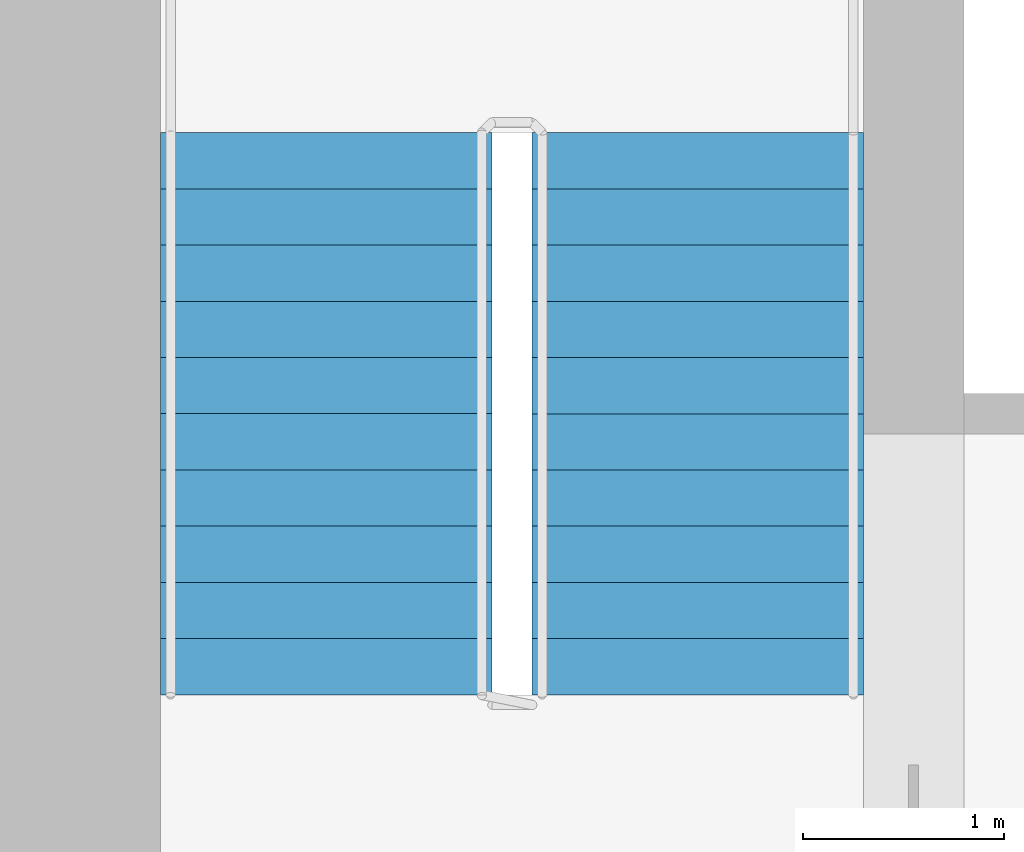
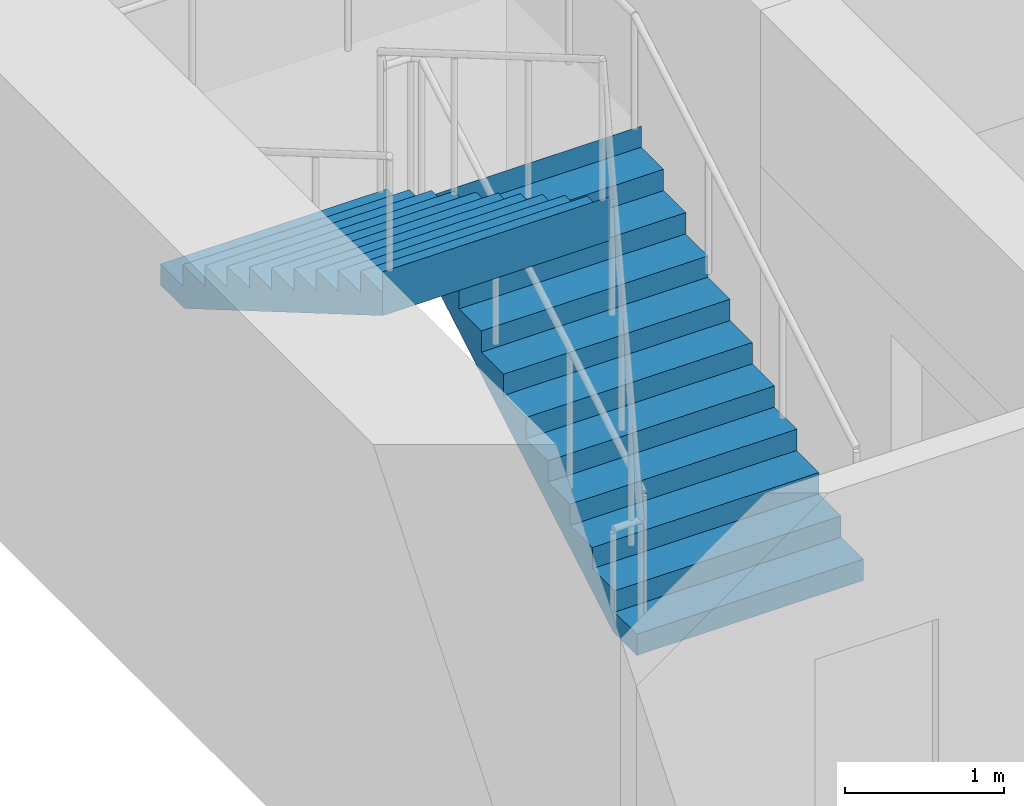
# One storey, part 14 of 15: 2 stair flights, 1 element without a shape of its own.
"""IFC4 building model written with IfcOpenShell, lengths in metres."""

from ifc_helpers import new_model, si_unit, direction, frame, origin, place, context, subcontext, project, spatial, polyline, outline, extrude, material, type_object, element, aggregate, save


model = new_model("IFC4")

# Units and contexts
model_context = context("Model", 3, precision=1e-05, world=origin(), true_north=direction((0.0, 1.0)))
body_context = subcontext(model_context, "Body", "Model", "MODEL_VIEW")
ifc_project = project(units=[si_unit("LENGTHUNIT", "METRE"), si_unit("AREAUNIT", "SQUARE_METRE"), si_unit("VOLUMEUNIT", "CUBIC_METRE"), si_unit("PLANEANGLEUNIT", "RADIAN"), si_unit("MASSUNIT", "GRAM", prefix="KILO")], contexts=[model_context])

# Site, building, storey
site_placement = place(None, origin())
site = spatial("IfcSite", under=ifc_project, at=site_placement, CompositionType="ELEMENT")
building_placement = place(site_placement, origin())
building = spatial("IfcBuilding", under=site, at=building_placement, Name="Tamorin Gate", CompositionType="ELEMENT")
storey_placement = place(building_placement, frame((0.0, 0.0, 62.800048828125)))
storey = spatial("IfcBuildingStorey", under=building, at=storey_placement, Name="L14", CompositionType="ELEMENT", Elevation=62.800048828125)

# Stair, stair flights
ifc_material = material(Name="Concrete C40/50", Category="concrete")
stair_type = type_object("IfcStairType", Name="Exit stair", PredefinedType="HALF_TURN_STAIR", material=ifc_material)
stair_placement = place(storey_placement, origin())
stair = element("IfcStair", 1, at=stair_placement, inside=storey, type_object=stair_type, Name="L14 stair ST2", PredefinedType="HALF_TURN_STAIR")
stair_flight_type = type_object("IfcStairFlightType", Name="Exit stair flight", PredefinedType="STRAIGHT", material=ifc_material)
stair_flight_1_placement = place(storey_placement, frame((33.675048828125, 77.0, 0.0), z_axis=(0.0, 0.0, 1.0), x_axis=(0.0, 1.0, 0.0)))
stair_flight_1 = element("IfcStairFlight", 2, at=stair_flight_1_placement, type_object=stair_flight_type, Name="ST2 flight 1", NumberOfRisers=11, NumberOfTreads=10, PredefinedType="STRAIGHT", RiserHeight=0.163636364, TreadLength=0.28, context=body_context, shape_type="SweptSolid", body=[
    extrude(outline(polyline([(-0.00048828125, 0.0), (-0.00048828125, 0.001708984375), (-0.00048828125, 0.003173828125), (-0.00048828125, 0.0048828125), (-0.00048828125, 0.006591796875), (-0.00048828125, 0.008056640625), (-0.00048828125, 0.009765625), (-0.00048828125, 0.01123046875), (-0.00048828125, 0.012939453125), (-0.00048828125, 0.0146484375), (-0.00048828125, 0.01611328125), (-0.00048828125, 0.017822265625), (-0.00048828125, 0.01953125), (-0.00048828125, 0.02099609375), (-0.00048828125, 0.022705078125), (-0.00048828125, 0.0244140625), (-0.00048828125, 0.02587890625), (-0.00048828125, 0.027587890625), (-0.00048828125, 0.029052734375), (-0.00048828125, 0.03076171875), (-0.00048828125, 0.032470703125), (-0.00048828125, 0.033935546875), (-0.00048828125, 0.03564453125), (-0.00048828125, 0.037353515625), (-0.00048828125, 0.038818359375), (-0.00048828125, 0.04052734375), (-0.00048828125, 0.042236328125), (-0.00048828125, 0.043701171875), (-0.00048828125, 0.04541015625), (-0.00048828125, 0.046875), (-0.00048828125, 0.048583984375), (-0.00048828125, 0.05029296875), (-0.00048828125, 0.0517578125), (-0.00048828125, 0.053466796875), (-0.00048828125, 0.05517578125), (-0.00048828125, 0.056640625), (-0.00048828125, 0.058349609375), (-0.00048828125, 0.06005859375), (-0.00048828125, 0.0615234375), (-0.00048828125, 0.063232421875), (-0.00048828125, 0.064697265625), (-0.00048828125, 0.06640625), (-0.00048828125, 0.068115234375), (-0.00048828125, 0.069580078125), (-0.00048828125, 0.0712890625), (-0.00048828125, 0.072998046875), (-0.00048828125, 0.074462890625), (-0.00048828125, 0.076171875), (-0.00048828125, 0.077880859375), (-0.00048828125, 0.079345703125), (-0.00048828125, 0.0810546875), (-0.00048828125, 0.08251953125), (-0.00048828125, 0.084228515625), (-0.00048828125, 0.0859375), (-0.00048828125, 0.08740234375), (-0.00048828125, 0.089111328125), (-0.00048828125, 0.0908203125), (-0.00048828125, 0.09228515625), (-0.00048828125, 0.093994140625), (-0.00048828125, 0.095703125), (-0.00048828125, 0.09716796875), (-0.00048828125, 0.098876953125), (-0.00048828125, 0.100341796875), (-0.00048828125, 0.10205078125), (-0.00048828125, 0.103759765625), (-0.00048828125, 0.105224609375), (-0.00048828125, 0.10693359375), (-0.00048828125, 0.108642578125), (-0.00048828125, 0.110107421875), (-0.00048828125, 0.11181640625), (-0.00048828125, 0.113525390625), (-0.00048828125, 0.114990234375), (-0.00048828125, 0.11669921875), (-0.00048828125, 0.1181640625), (-0.00048828125, 0.119873046875), (-0.00048828125, 0.12158203125), (-0.00048828125, 0.123046875), (-0.00048828125, 0.124755859375), (-0.00048828125, 0.12646484375), (-0.00048828125, 0.1279296875), (-0.00048828125, 0.129638671875), (-0.00048828125, 0.13134765625), (-0.00048828125, 0.1328125), (-0.00048828125, 0.134521484375), (-0.00048828125, 0.135986328125), (-0.00048828125, 0.1376953125), (-0.00048828125, 0.139404296875), (-0.00048828125, 0.140869140625), (-0.00048828125, 0.142578125), (-0.00048828125, 0.144287109375), (-0.00048828125, 0.145751953125), (-0.00048828125, 0.1474609375), (-0.00048828125, 0.149169921875), (-0.00048828125, 0.150634765625), (-0.00048828125, 0.15234375), (-0.00048828125, 0.15380859375), (-0.00048828125, 0.155517578125), (-0.00048828125, 0.1572265625), (-0.00048828125, 0.15869140625), (-0.00048828125, 0.160400390625), (-0.00048828125, 0.162109375), (-0.00048828125, 0.16357421875), (0.280029296875, 0.16357421875), (0.280029296875, 0.327392578125), (0.56005859375, 0.327392578125), (0.56005859375, 0.490966796875), (0.840087890625, 0.490966796875), (0.840087890625, 0.654541015625), (1.1201171875, 0.654541015625), (1.1201171875, 0.818115234375), (1.39990234375, 0.818115234375), (1.39990234375, 0.98193359375), (1.679931640625, 0.98193359375), (1.679931640625, 1.1455078125), (1.9599609375, 1.1455078125), (1.9599609375, 1.30908203125), (2.239990234375, 1.30908203125), (2.239990234375, 1.47265625), (2.52001953125, 1.47265625), (2.52001953125, 1.636474609375), (2.800048828125, 1.636474609375), (2.800048828125, 1.800048828125), (2.800537109375, 1.800048828125), (2.800537109375, 1.796630859375), (2.800537109375, 1.793212890625), (2.800537109375, 1.7900390625), (2.800537109375, 1.78662109375), (2.800537109375, 1.783203125), (2.800537109375, 1.780029296875), (2.800537109375, 1.776611328125), (2.800537109375, 1.773193359375), (2.800537109375, 1.77001953125), (2.800537109375, 1.7666015625), (2.800537109375, 1.76318359375), (2.800537109375, 1.760009765625), (2.800537109375, 1.756591796875), (2.800537109375, 1.753173828125), (2.800537109375, 1.75), (2.800537109375, 1.74658203125), (2.800537109375, 1.7431640625), (2.800537109375, 1.739990234375), (2.800537109375, 1.736572265625), (2.800537109375, 1.733154296875), (2.800537109375, 1.72998046875), (2.800537109375, 1.7265625), (2.800537109375, 1.72314453125), (2.800537109375, 1.719970703125), (2.800537109375, 1.716552734375), (2.800537109375, 1.713134765625), (2.800537109375, 1.7099609375), (2.800537109375, 1.70654296875), (2.800537109375, 1.703125), (2.800537109375, 1.69970703125), (2.800537109375, 1.696533203125), (2.800537109375, 1.693115234375), (2.800537109375, 1.689697265625), (2.800537109375, 1.6865234375), (2.800537109375, 1.68310546875), (2.800537109375, 1.6796875), (2.800537109375, 1.676513671875), (2.800537109375, 1.673095703125), (2.800537109375, 1.669677734375), (2.800537109375, 1.66650390625), (2.800537109375, 1.6630859375), (2.800537109375, 1.65966796875), (2.800537109375, 1.656494140625), (2.800537109375, 1.653076171875), (2.800537109375, 1.649658203125), (2.800537109375, 1.646484375), (2.800537109375, 1.64306640625), (2.800537109375, 1.6396484375), (2.800537109375, 1.636474609375), (2.800537109375, 1.633056640625), (2.800537109375, 1.629638671875), (2.800537109375, 1.62646484375), (2.800537109375, 1.623046875), (2.800537109375, 1.61962890625), (2.800537109375, 1.616455078125), (2.800537109375, 1.613037109375), (2.800537109375, 1.609619140625), (2.800537109375, 1.6064453125), (2.800537109375, 1.60302734375), (2.800537109375, 1.599609375), (2.800537109375, 1.59619140625), (2.800537109375, 1.593017578125), (2.800537109375, 1.589599609375), (2.800537109375, 1.586181640625), (2.800537109375, 1.5830078125), (2.800537109375, 1.57958984375), (2.800537109375, 1.576171875), (2.800537109375, 1.572998046875), (2.800537109375, 1.569580078125), (2.800537109375, 1.566162109375), (2.800537109375, 1.56298828125), (2.800537109375, 1.5595703125), (2.800537109375, 1.55615234375), (2.800537109375, 1.552978515625), (2.800537109375, 1.549560546875), (2.800537109375, 1.546142578125), (2.800537109375, 1.54296875), (2.800537109375, 1.53955078125), (2.800537109375, 1.5361328125), (2.800537109375, 1.532958984375), (2.800537109375, 1.529541015625), (2.800537109375, 1.526123046875), (2.800537109375, 1.52294921875), (2.800537109375, 1.51953125), (2.800537109375, 1.51611328125), (2.800537109375, 1.512939453125), (2.800537109375, 1.509521484375), (2.800537109375, 1.506103515625), (2.800537109375, 1.5029296875), (2.800537109375, 1.49951171875), (2.800537109375, 1.49609375), (2.800537109375, 1.49267578125), (2.800537109375, 1.489501953125), (2.800537109375, 1.486083984375), (2.800537109375, 1.482666015625), (2.800537109375, 1.4794921875), (2.800537109375, 1.47607421875), (2.800537109375, 1.47265625), (2.800537109375, 1.469482421875), (2.800537109375, 1.466064453125), (2.800537109375, 1.462646484375), (2.800048828125, 1.462646484375), (0.297119140625, 0.0), (-0.00048828125, 0.0)])), frame((0.0, 0.824951171875, 0.0), z_axis=(0.0, -1.0, 0.0), x_axis=(1.0, 0.0, 0.0)), (0.0, 0.0, 1.0), 1.64990234375),
])
stair_flight_2_placement = place(storey_placement, frame((31.824951171875, 79.800048828125, 1.800048828125), z_axis=(0.0, 0.0, 1.0), x_axis=(0.0, -1.0, 0.0)))
stair_flight_2 = element("IfcStairFlight", 3, at=stair_flight_2_placement, type_object=stair_flight_type, Name="ST2 flight 2", NumberOfRisers=11, NumberOfTreads=10, PredefinedType="STRAIGHT", RiserHeight=0.163636364, TreadLength=0.28, context=body_context, shape_type="SweptSolid", body=[
    extrude(outline(polyline([(-0.00048828125, 0.0), (-0.00048828125, 0.001708984375), (-0.00048828125, 0.003173828125), (-0.00048828125, 0.0048828125), (-0.00048828125, 0.006591796875), (-0.00048828125, 0.008056640625), (-0.00048828125, 0.009765625), (-0.00048828125, 0.01123046875), (-0.00048828125, 0.012939453125), (-0.00048828125, 0.0146484375), (-0.00048828125, 0.01611328125), (-0.00048828125, 0.017822265625), (-0.00048828125, 0.01953125), (-0.00048828125, 0.02099609375), (-0.00048828125, 0.022705078125), (-0.00048828125, 0.0244140625), (-0.00048828125, 0.02587890625), (-0.00048828125, 0.027587890625), (-0.00048828125, 0.029052734375), (-0.00048828125, 0.03076171875), (-0.00048828125, 0.032470703125), (-0.00048828125, 0.033935546875), (-0.00048828125, 0.03564453125), (-0.00048828125, 0.037353515625), (-0.00048828125, 0.038818359375), (-0.00048828125, 0.04052734375), (-0.00048828125, 0.042236328125), (-0.00048828125, 0.043701171875), (-0.00048828125, 0.04541015625), (-0.00048828125, 0.046875), (-0.00048828125, 0.048583984375), (-0.00048828125, 0.05029296875), (-0.00048828125, 0.0517578125), (-0.00048828125, 0.053466796875), (-0.00048828125, 0.05517578125), (-0.00048828125, 0.056640625), (-0.00048828125, 0.058349609375), (-0.00048828125, 0.06005859375), (-0.00048828125, 0.0615234375), (-0.00048828125, 0.063232421875), (-0.00048828125, 0.064697265625), (-0.00048828125, 0.06640625), (-0.00048828125, 0.068115234375), (-0.00048828125, 0.069580078125), (-0.00048828125, 0.0712890625), (-0.00048828125, 0.072998046875), (-0.00048828125, 0.074462890625), (-0.00048828125, 0.076171875), (-0.00048828125, 0.077880859375), (-0.00048828125, 0.079345703125), (-0.00048828125, 0.0810546875), (-0.00048828125, 0.08251953125), (-0.00048828125, 0.084228515625), (-0.00048828125, 0.0859375), (-0.00048828125, 0.08740234375), (-0.00048828125, 0.089111328125), (-0.00048828125, 0.0908203125), (-0.00048828125, 0.09228515625), (-0.00048828125, 0.093994140625), (-0.00048828125, 0.095703125), (-0.00048828125, 0.09716796875), (-0.00048828125, 0.098876953125), (-0.00048828125, 0.100341796875), (-0.00048828125, 0.10205078125), (-0.00048828125, 0.103759765625), (-0.00048828125, 0.105224609375), (-0.00048828125, 0.10693359375), (-0.00048828125, 0.108642578125), (-0.00048828125, 0.110107421875), (-0.00048828125, 0.11181640625), (-0.00048828125, 0.113525390625), (-0.00048828125, 0.114990234375), (-0.00048828125, 0.11669921875), (-0.00048828125, 0.1181640625), (-0.00048828125, 0.119873046875), (-0.00048828125, 0.12158203125), (-0.00048828125, 0.123046875), (-0.00048828125, 0.124755859375), (-0.00048828125, 0.12646484375), (-0.00048828125, 0.1279296875), (-0.00048828125, 0.129638671875), (-0.00048828125, 0.13134765625), (-0.00048828125, 0.1328125), (-0.00048828125, 0.134521484375), (-0.00048828125, 0.135986328125), (-0.00048828125, 0.1376953125), (-0.00048828125, 0.139404296875), (-0.00048828125, 0.140869140625), (-0.00048828125, 0.142578125), (-0.00048828125, 0.144287109375), (-0.00048828125, 0.145751953125), (-0.00048828125, 0.1474609375), (-0.00048828125, 0.149169921875), (-0.00048828125, 0.150634765625), (-0.00048828125, 0.15234375), (-0.00048828125, 0.15380859375), (-0.00048828125, 0.155517578125), (-0.00048828125, 0.1572265625), (-0.00048828125, 0.15869140625), (-0.00048828125, 0.160400390625), (-0.00048828125, 0.162109375), (-0.00048828125, 0.16357421875), (0.280029296875, 0.16357421875), (0.280029296875, 0.327392578125), (0.56005859375, 0.327392578125), (0.56005859375, 0.490966796875), (0.840087890625, 0.490966796875), (0.840087890625, 0.654541015625), (1.1201171875, 0.654541015625), (1.1201171875, 0.818115234375), (1.39990234375, 0.818115234375), (1.39990234375, 0.98193359375), (1.679931640625, 0.98193359375), (1.679931640625, 1.1455078125), (1.9599609375, 1.1455078125), (1.9599609375, 1.30908203125), (2.239990234375, 1.30908203125), (2.239990234375, 1.47265625), (2.52001953125, 1.47265625), (2.52001953125, 1.636474609375), (2.800048828125, 1.636474609375), (2.800048828125, 1.800048828125), (2.800537109375, 1.800048828125), (2.800537109375, 1.796630859375), (2.800537109375, 1.793212890625), (2.800537109375, 1.7900390625), (2.800537109375, 1.78662109375), (2.800537109375, 1.783203125), (2.800537109375, 1.780029296875), (2.800537109375, 1.776611328125), (2.800537109375, 1.773193359375), (2.800537109375, 1.77001953125), (2.800537109375, 1.7666015625), (2.800537109375, 1.76318359375), (2.800537109375, 1.760009765625), (2.800537109375, 1.756591796875), (2.800537109375, 1.753173828125), (2.800537109375, 1.75), (2.800537109375, 1.74658203125), (2.800537109375, 1.7431640625), (2.800537109375, 1.739990234375), (2.800537109375, 1.736572265625), (2.800537109375, 1.733154296875), (2.800537109375, 1.72998046875), (2.800537109375, 1.7265625), (2.800537109375, 1.72314453125), (2.800537109375, 1.719970703125), (2.800537109375, 1.716552734375), (2.800537109375, 1.713134765625), (2.800537109375, 1.7099609375), (2.800537109375, 1.70654296875), (2.800537109375, 1.703125), (2.800537109375, 1.69970703125), (2.800537109375, 1.696533203125), (2.800537109375, 1.693115234375), (2.800537109375, 1.689697265625), (2.800537109375, 1.6865234375), (2.800537109375, 1.68310546875), (2.800537109375, 1.6796875), (2.800537109375, 1.676513671875), (2.800537109375, 1.673095703125), (2.800537109375, 1.669677734375), (2.800537109375, 1.66650390625), (2.800537109375, 1.6630859375), (2.800537109375, 1.65966796875), (2.800537109375, 1.656494140625), (2.800537109375, 1.653076171875), (2.800537109375, 1.649658203125), (2.800537109375, 1.646484375), (2.800537109375, 1.64306640625), (2.800537109375, 1.6396484375), (2.800537109375, 1.636474609375), (2.800537109375, 1.633056640625), (2.800537109375, 1.629638671875), (2.800537109375, 1.62646484375), (2.800537109375, 1.623046875), (2.800537109375, 1.61962890625), (2.800537109375, 1.616455078125), (2.800537109375, 1.613037109375), (2.800537109375, 1.609619140625), (2.800537109375, 1.6064453125), (2.800537109375, 1.60302734375), (2.800537109375, 1.599609375), (2.800537109375, 1.59619140625), (2.800537109375, 1.593017578125), (2.800537109375, 1.589599609375), (2.800537109375, 1.586181640625), (2.800537109375, 1.5830078125), (2.800537109375, 1.57958984375), (2.800537109375, 1.576171875), (2.800537109375, 1.572998046875), (2.800537109375, 1.569580078125), (2.800537109375, 1.566162109375), (2.800537109375, 1.56298828125), (2.800537109375, 1.5595703125), (2.800537109375, 1.55615234375), (2.800537109375, 1.552978515625), (2.800537109375, 1.549560546875), (2.800537109375, 1.546142578125), (2.800537109375, 1.54296875), (2.800537109375, 1.53955078125), (2.800537109375, 1.5361328125), (2.800537109375, 1.532958984375), (2.800537109375, 1.529541015625), (2.800537109375, 1.526123046875), (2.800537109375, 1.52294921875), (2.800537109375, 1.51953125), (2.800537109375, 1.51611328125), (2.800537109375, 1.512939453125), (2.800537109375, 1.509521484375), (2.800537109375, 1.506103515625), (2.800537109375, 1.5029296875), (2.800537109375, 1.49951171875), (2.800537109375, 1.49609375), (2.800537109375, 1.49267578125), (2.800537109375, 1.489501953125), (2.800537109375, 1.486083984375), (2.800537109375, 1.482666015625), (2.800537109375, 1.4794921875), (2.800537109375, 1.47607421875), (2.800537109375, 1.47265625), (2.800537109375, 1.469482421875), (2.800537109375, 1.466064453125), (2.800537109375, 1.462646484375), (2.800048828125, 1.462646484375), (0.297119140625, 0.0), (-0.00048828125, 0.0)])), frame((0.0, 0.824951171875, 0.0), z_axis=(0.0, -1.0, 0.0), x_axis=(1.0, 0.0, 0.0)), (0.0, 0.0, 1.0), 1.64990234375),
])
aggregate(stair, [stair_flight_1, stair_flight_2])

save(model, "model.ifc")
